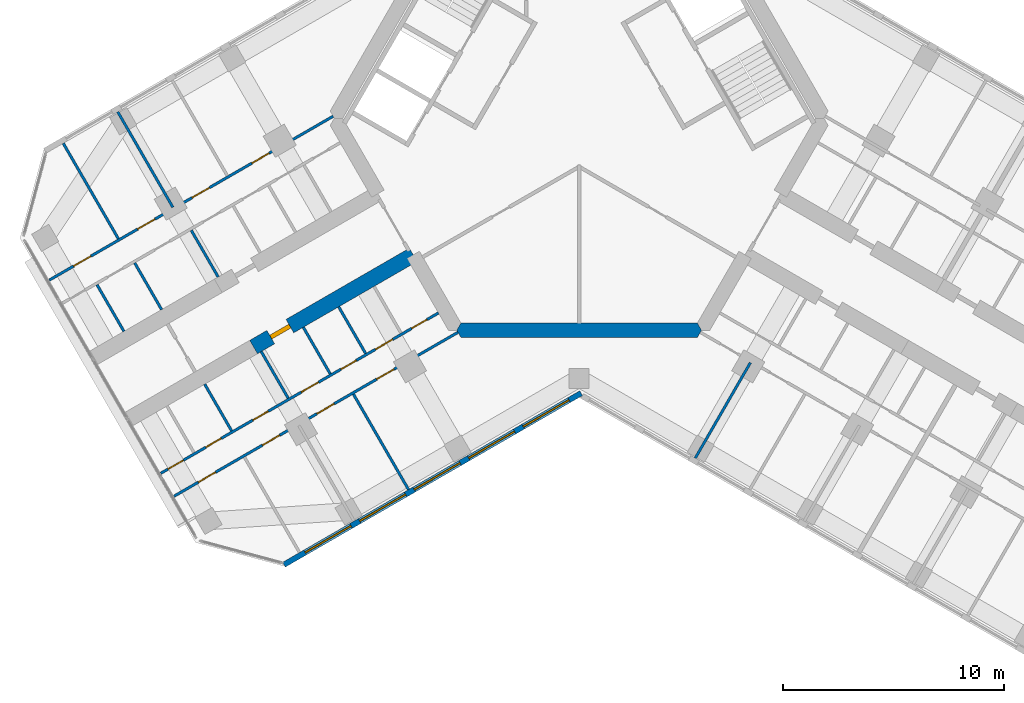
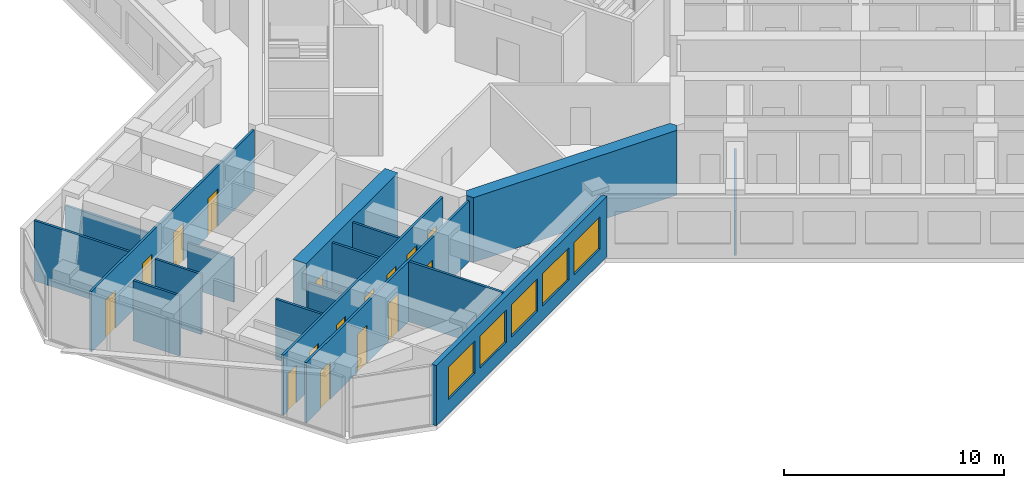
# One storey, part 8 of 16: 17 walls, 16 doors, 5 windows, 21 openings.
"""IFC4 building model written with IfcOpenShell, lengths in metres."""

from ifc_helpers import new_model, si_unit, direction, frame, frame_2d, origin, place, context, subcontext, project, spatial, polyline, rectangle, outline, extrude, material, layer, layer_set, type_object, element, fill, save


model = new_model("IFC4")

# Units and contexts
model_context = context("Model", 3, precision=1e-05, world=origin(), true_north=direction((0.0, 1.0)))
body_context = subcontext(model_context, "Body", "Model", "MODEL_VIEW")
ifc_project = project(units=[si_unit("LENGTHUNIT", "METRE"), si_unit("AREAUNIT", "SQUARE_METRE"), si_unit("VOLUMEUNIT", "CUBIC_METRE"), si_unit("PLANEANGLEUNIT", "RADIAN"), si_unit("MASSUNIT", "GRAM", prefix="KILO")], contexts=[model_context])

# Site, building, storey
site_placement = place(None, origin())
site = spatial("IfcSite", under=ifc_project, at=site_placement, CompositionType="ELEMENT")
building_placement = place(site_placement, origin())
building = spatial("IfcBuilding", under=site, at=building_placement, Name="Kosmar Iwan School Tower", CompositionType="ELEMENT")
storey_placement = place(building_placement, frame((0.0, 0.0, 208.199951171875)))
storey = spatial("IfcBuildingStorey", under=building, at=storey_placement, Name="L52", CompositionType="ELEMENT", Elevation=208.199951171875)

# Wall
ifc_material_1 = material(Name="Concrete C50/60", Category="concrete")
ifc_layer_1 = layer(ifc_material_1, 0.64990234375)
ifc_layer_set_1 = layer_set([ifc_layer_1], Name="Core wall 650")
wall_type_1 = type_object("IfcWallType", Name="Core wall 650", PredefinedType="SHEAR", material=ifc_layer_set_1)
wall_1_placement = place(storey_placement, origin())
element("IfcWall", 1, at=wall_1_placement, inside=storey, type_object=wall_type_1, Name="Core wall F270", PredefinedType="SHEAR", context=body_context, shape_type="SweptSolid", body=[
    extrude(outline(polyline([(-5.35498046875, -9.925048828125), (5.35498046875, -9.925048828125), (5.54248046875, -9.60009765625), (5.35498046875, -9.27490234375), (-5.35498046875, -9.27490234375), (-5.54248046875, -9.60009765625), (-5.35498046875, -9.925048828125)])), origin(), (0.0, 0.0, 1.0), 3.60009765625),
])

# Wall, opening, door
ifc_material_2 = material(Name="Concrete C50/60", Category="concrete")
ifc_layer_2 = layer(ifc_material_2, 0.699951171875)
ifc_layer_set_2 = layer_set([ifc_layer_2], Name="Corridor buttress wall 700")
wall_type_2 = type_object("IfcWallType", Name="Corridor buttress wall 700", PredefinedType="SHEAR", material=ifc_layer_set_2)
wall_2_placement = place(storey_placement, frame((-7.513916015625, -6.185546875, 0.0), z_axis=(0.0, 0.0, 1.0), x_axis=(-0.866019549707, -0.500010139422, 0.0)))
wall_2 = element("IfcWall", 2, at=wall_2_placement, inside=storey, type_object=wall_type_2, Name="Corridor wall BL", PredefinedType="SHEAR", context=body_context, shape_type="SweptSolid", body=[
    extrude(rectangle(XDim=8.349853515625, YDim=0.699951171875, at=frame_2d((4.1748046875, 0.0))), origin(), (0.0, 0.0, 1.0), 3.60009765625),
])
opening_1_placement = place(wall_2_placement, frame((6.449951171875, 0.0, 0.0)))
opening_1 = element("IfcOpeningElement", 3, at=opening_1_placement, cuts=wall_2, Name="Opening D1", PredefinedType="OPENING", context=body_context, shape_type="SweptSolid", body=[
    extrude(rectangle(XDim=1.0, YDim=2.10009765625, at=frame_2d((0.5, 1.050048828125))), frame((0.0, 0.362060546875, 0.0), z_axis=(0.0, -1.0, 0.0), x_axis=(1.0, 0.0, 0.0)), (0.0, 0.0, 1.0), 0.723876953125),
])
ifc_material_3 = material(Name="Timber fire door in steel frame", Category="steel")
door_type_1 = type_object("IfcDoorType", Name="Flat entrance door 1000x2100", OperationType="SINGLE_SWING_LEFT", PredefinedType="DOOR", material=ifc_material_3)
door_1_placement = place(opening_1_placement, origin())
door_1 = element("IfcDoor", 4, at=door_1_placement, inside=storey, type_object=door_type_1, Name="Flat L52-BL1 entrance door", OperationType="SINGLE_SWING_LEFT", OverallHeight=2.10009765625, OverallWidth=1.0, PredefinedType="DOOR", context=body_context, shape_type="SweptSolid", body=[
    extrude(rectangle(XDim=1.0, YDim=2.10009765625, at=frame_2d((0.5, 1.050048828125))), frame((0.0, 0.10009765625, 0.0), z_axis=(0.0, -1.0, 0.0), x_axis=(1.0, 0.0, 0.0)), (0.0, 0.0, 1.0), 0.199951171875),
])
fill(opening_1, door_1)

# Wall, openings, doors
ifc_material_4 = material(Name="Gypsum board on steel studs", Category="steel")
ifc_layer_3 = layer(ifc_material_4, 0.1201171875)
ifc_layer_set_3 = layer_set([ifc_layer_3], Name="Dwelling partition 120")
wall_type_3 = type_object("IfcWallType", Name="Dwelling partition 120", PredefinedType="PARTITIONING", material=ifc_layer_set_3)
wall_3_placement = place(storey_placement, frame((-6.370361328125, -8.81640625, 0.0), z_axis=(0.0, 0.0, 1.0), x_axis=(-0.866025425371, -0.499999962611, 0.0)))
wall_3 = element("IfcWall", 5, at=wall_3_placement, inside=storey, type_object=wall_type_3, Name="Partition L52-BL1-W1", PredefinedType="PARTITIONING", context=body_context, shape_type="SweptSolid", body=[
    extrude(rectangle(XDim=14.52001953125, YDim=0.1201171875, at=frame_2d((7.260009765625, 0.0))), origin(), (0.0, 0.0, 1.0), 3.35009765625),
])
opening_2_placement = place(wall_3_placement, frame((0.60009765625, 0.0, 0.0)))
opening_2 = element("IfcOpeningElement", 6, at=opening_2_placement, cuts=wall_3, Name="Opening D3", PredefinedType="OPENING", context=body_context, shape_type="SweptSolid", body=[
    extrude(rectangle(XDim=0.800048828125, YDim=2.10009765625, at=frame_2d((0.39990234375, 1.050048828125))), frame((0.0, 0.072021484375, 0.0), z_axis=(0.0, -1.0, 0.0), x_axis=(1.0, 0.0, 0.0)), (0.0, 0.0, 1.0), 0.14404296875),
])
opening_3_placement = place(wall_3_placement, frame((2.39990234375, 0.0, 0.0)))
opening_3 = element("IfcOpeningElement", 7, at=opening_3_placement, cuts=wall_3, Name="Opening D2", PredefinedType="OPENING", context=body_context, shape_type="SweptSolid", body=[
    extrude(rectangle(XDim=0.89990234375, YDim=2.10009765625, at=frame_2d((0.449951171875, 1.050048828125))), frame((0.0, 0.072021484375, 0.0), z_axis=(0.0, -1.0, 0.0), x_axis=(1.0, 0.0, 0.0)), (0.0, 0.0, 1.0), 0.14404296875),
])
opening_4_placement = place(wall_3_placement, frame((4.300048828125, 0.0, 0.0)))
opening_4 = element("IfcOpeningElement", 8, at=opening_4_placement, cuts=wall_3, Name="Opening D3", PredefinedType="OPENING", context=body_context, shape_type="SweptSolid", body=[
    extrude(rectangle(XDim=0.800048828125, YDim=2.10009765625, at=frame_2d((0.39990234375, 1.050048828125))), frame((0.0, 0.072021484375, 0.0), z_axis=(0.0, -1.0, 0.0), x_axis=(1.0, 0.0, 0.0)), (0.0, 0.0, 1.0), 0.14404296875),
])
opening_5_placement = place(wall_3_placement, frame((6.27490234375, 0.0, 0.0)))
opening_5 = element("IfcOpeningElement", 9, at=opening_5_placement, cuts=wall_3, Name="Opening D2", PredefinedType="OPENING", context=body_context, shape_type="SweptSolid", body=[
    extrude(rectangle(XDim=0.89990234375, YDim=2.10009765625, at=frame_2d((0.449951171875, 1.050048828125))), frame((0.0, 0.072021484375, 0.0), z_axis=(0.0, -1.0, 0.0), x_axis=(1.0, 0.0, 0.0)), (0.0, 0.0, 1.0), 0.14404296875),
])
opening_6_placement = place(wall_3_placement, frame((8.903564453125, 0.0, 0.0)))
opening_6 = element("IfcOpeningElement", 10, at=opening_6_placement, cuts=wall_3, Name="Opening D3", PredefinedType="OPENING", context=body_context, shape_type="SweptSolid", body=[
    extrude(rectangle(XDim=0.800048828125, YDim=2.10009765625, at=frame_2d((0.39990234375, 1.050048828125))), frame((0.0, 0.072021484375, 0.0), z_axis=(0.0, -1.0, 0.0), x_axis=(1.0, 0.0, 0.0)), (0.0, 0.0, 1.0), 0.14404296875),
])
opening_7_placement = place(wall_3_placement, frame((11.367919921875, 0.0, 0.0)))
opening_7 = element("IfcOpeningElement", 11, at=opening_7_placement, cuts=wall_3, Name="Opening D3", PredefinedType="OPENING", context=body_context, shape_type="SweptSolid", body=[
    extrude(rectangle(XDim=0.800048828125, YDim=2.10009765625, at=frame_2d((0.39990234375, 1.050048828125))), frame((0.0, 0.072021484375, 0.0), z_axis=(0.0, -1.0, 0.0), x_axis=(1.0, 0.0, 0.0)), (0.0, 0.0, 1.0), 0.14404296875),
])
opening_8_placement = place(wall_3_placement, frame((13.33935546875, 0.0, 0.0)))
opening_8 = element("IfcOpeningElement", 12, at=opening_8_placement, cuts=wall_3, Name="Opening D3", PredefinedType="OPENING", context=body_context, shape_type="SweptSolid", body=[
    extrude(rectangle(XDim=0.800048828125, YDim=2.10009765625, at=frame_2d((0.39990234375, 1.050048828125))), frame((0.0, 0.072021484375, 0.0), z_axis=(0.0, -1.0, 0.0), x_axis=(1.0, 0.0, 0.0)), (0.0, 0.0, 1.0), 0.14404296875),
])
ifc_material_5 = material(Name="Timber door in timber frame", Category="wood")
door_type_2 = type_object("IfcDoorType", Name="Internal door 900x2100", OperationType="SINGLE_SWING_LEFT", PredefinedType="DOOR", material=ifc_material_5)
door_2_placement = place(opening_3_placement, origin())
door_2 = element("IfcDoor", 13, at=door_2_placement, inside=storey, type_object=door_type_2, Name="Pantry door L52-BL1-S2", OperationType="SINGLE_SWING_RIGHT", OverallHeight=2.10009765625, OverallWidth=0.89990234375, PredefinedType="DOOR", context=body_context, shape_type="SweptSolid", body=[
    extrude(rectangle(XDim=0.89990234375, YDim=2.10009765625, at=frame_2d((0.449951171875, 1.050048828125))), frame((0.0, 0.02490234375, 0.0), z_axis=(0.0, -1.0, 0.0), x_axis=(1.0, 0.0, 0.0)), (0.0, 0.0, 1.0), 0.050048828125),
])
fill(opening_3, door_2)
door_3_placement = place(opening_5_placement, origin())
door_3 = element("IfcDoor", 14, at=door_3_placement, inside=storey, type_object=door_type_2, Name="Entrance hall door L52-BL1-S4", OperationType="SINGLE_SWING_LEFT", OverallHeight=2.10009765625, OverallWidth=0.89990234375, PredefinedType="DOOR", context=body_context, shape_type="SweptSolid", body=[
    extrude(rectangle(XDim=0.89990234375, YDim=2.10009765625, at=frame_2d((0.449951171875, 1.050048828125))), frame((0.0, 0.02490234375, 0.0), z_axis=(0.0, -1.0, 0.0), x_axis=(1.0, 0.0, 0.0)), (0.0, 0.0, 1.0), 0.050048828125),
])
fill(opening_5, door_3)
ifc_material_6 = material(Name="Timber door in timber frame", Category="wood")
door_type_3 = type_object("IfcDoorType", Name="Sanitary room door 800x2100", OperationType="SINGLE_SWING_LEFT", PredefinedType="DOOR", material=ifc_material_6)
door_4_placement = place(opening_2_placement, origin())
door_4 = element("IfcDoor", 15, at=door_4_placement, inside=storey, type_object=door_type_3, Name="Store door L52-BL1-S1", OperationType="SINGLE_SWING_LEFT", OverallHeight=2.10009765625, OverallWidth=0.800048828125, PredefinedType="DOOR", context=body_context, shape_type="SweptSolid", body=[
    extrude(rectangle(XDim=0.800048828125, YDim=2.10009765625, at=frame_2d((0.39990234375, 1.050048828125))), frame((0.0, 0.02490234375, 0.0), z_axis=(0.0, -1.0, 0.0), x_axis=(1.0, 0.0, 0.0)), (0.0, 0.0, 1.0), 0.050048828125),
])
fill(opening_2, door_4)
door_5_placement = place(opening_4_placement, origin())
door_5 = element("IfcDoor", 16, at=door_5_placement, inside=storey, type_object=door_type_3, Name="Grandparents' shower room door L52-BL1-S3", OperationType="SINGLE_SWING_LEFT", OverallHeight=2.10009765625, OverallWidth=0.800048828125, PredefinedType="DOOR", context=body_context, shape_type="SweptSolid", body=[
    extrude(rectangle(XDim=0.800048828125, YDim=2.10009765625, at=frame_2d((0.39990234375, 1.050048828125))), frame((0.0, 0.02490234375, 0.0), z_axis=(0.0, -1.0, 0.0), x_axis=(1.0, 0.0, 0.0)), (0.0, 0.0, 1.0), 0.050048828125),
])
fill(opening_4, door_5)
door_6_placement = place(opening_6_placement, origin())
door_6 = element("IfcDoor", 17, at=door_6_placement, inside=storey, type_object=door_type_3, Name="Bathroom door L52-BL1-S5", OperationType="SINGLE_SWING_RIGHT", OverallHeight=2.10009765625, OverallWidth=0.800048828125, PredefinedType="DOOR", context=body_context, shape_type="SweptSolid", body=[
    extrude(rectangle(XDim=0.800048828125, YDim=2.10009765625, at=frame_2d((0.39990234375, 1.050048828125))), frame((0.0, 0.02490234375, 0.0), z_axis=(0.0, -1.0, 0.0), x_axis=(1.0, 0.0, 0.0)), (0.0, 0.0, 1.0), 0.050048828125),
])
fill(opening_6, door_6)
door_7_placement = place(opening_7_placement, origin())
door_7 = element("IfcDoor", 18, at=door_7_placement, inside=storey, type_object=door_type_3, Name="Shower room door L52-BL1-S6", OperationType="SINGLE_SWING_RIGHT", OverallHeight=2.10009765625, OverallWidth=0.800048828125, PredefinedType="DOOR", context=body_context, shape_type="SweptSolid", body=[
    extrude(rectangle(XDim=0.800048828125, YDim=2.10009765625, at=frame_2d((0.39990234375, 1.050048828125))), frame((0.0, 0.02490234375, 0.0), z_axis=(0.0, -1.0, 0.0), x_axis=(1.0, 0.0, 0.0)), (0.0, 0.0, 1.0), 0.050048828125),
])
fill(opening_7, door_7)
door_8_placement = place(opening_8_placement, origin())
door_8 = element("IfcDoor", 19, at=door_8_placement, inside=storey, type_object=door_type_3, Name="WC door L52-BL1-S7", OperationType="SINGLE_SWING_RIGHT", OverallHeight=2.10009765625, OverallWidth=0.800048828125, PredefinedType="DOOR", context=body_context, shape_type="SweptSolid", body=[
    extrude(rectangle(XDim=0.800048828125, YDim=2.10009765625, at=frame_2d((0.39990234375, 1.050048828125))), frame((0.0, 0.02490234375, 0.0), z_axis=(0.0, -1.0, 0.0), x_axis=(1.0, 0.0, 0.0)), (0.0, 0.0, 1.0), 0.050048828125),
])
fill(opening_8, door_8)

wall_4_placement = place(storey_placement, frame((-5.48876953125, -9.693115234375, 0.0), z_axis=(0.0, 0.0, 1.0), x_axis=(-0.866030301974, -0.499991515992, 0.0)))
wall_4 = element("IfcWall", 20, at=wall_4_placement, inside=storey, type_object=wall_type_3, Name="Partition L52-BL1-W2", PredefinedType="PARTITIONING", context=body_context, shape_type="SweptSolid", body=[
    extrude(rectangle(XDim=14.844970703125, YDim=0.1201171875, at=frame_2d((7.42236328125, 0.0))), origin(), (0.0, 0.0, 1.0), 3.35009765625),
])
opening_9_placement = place(wall_4_placement, frame((3.35009765625, 0.0, 0.0)))
opening_9 = element("IfcOpeningElement", 21, at=opening_9_placement, cuts=wall_4, Name="Opening D2", PredefinedType="OPENING", context=body_context, shape_type="SweptSolid", body=[
    extrude(rectangle(XDim=0.89990234375, YDim=2.10009765625, at=frame_2d((0.449951171875, 1.050048828125))), frame((0.0, 0.072021484375, 0.0), z_axis=(0.0, -1.0, 0.0), x_axis=(1.0, 0.0, 0.0)), (0.0, 0.0, 1.0), 0.14404296875),
])
opening_10_placement = place(wall_4_placement, frame((6.47509765625, 0.0, 0.0)))
opening_10 = element("IfcOpeningElement", 22, at=opening_10_placement, cuts=wall_4, Name="Opening D2", PredefinedType="OPENING", context=body_context, shape_type="SweptSolid", body=[
    extrude(rectangle(XDim=0.89990234375, YDim=2.10009765625, at=frame_2d((0.449951171875, 1.050048828125))), frame((0.0, 0.072021484375, 0.0), z_axis=(0.0, -1.0, 0.0), x_axis=(1.0, 0.0, 0.0)), (0.0, 0.0, 1.0), 0.14404296875),
])
opening_11_placement = place(wall_4_placement, frame((9.324951171875, 0.0, 0.0)))
opening_11 = element("IfcOpeningElement", 23, at=opening_11_placement, cuts=wall_4, Name="Opening D2", PredefinedType="OPENING", context=body_context, shape_type="SweptSolid", body=[
    extrude(rectangle(XDim=0.89990234375, YDim=2.10009765625, at=frame_2d((0.449951171875, 1.050048828125))), frame((0.0, 0.072021484375, 0.0), z_axis=(0.0, -1.0, 0.0), x_axis=(1.0, 0.0, 0.0)), (0.0, 0.0, 1.0), 0.14404296875),
])
opening_12_placement = place(wall_4_placement, frame((12.675048828125, 0.0, 0.0)))
opening_12 = element("IfcOpeningElement", 24, at=opening_12_placement, cuts=wall_4, Name="Opening D2", PredefinedType="OPENING", context=body_context, shape_type="SweptSolid", body=[
    extrude(rectangle(XDim=0.89990234375, YDim=2.10009765625, at=frame_2d((0.449951171875, 1.050048828125))), frame((0.0, 0.072021484375, 0.0), z_axis=(0.0, -1.0, 0.0), x_axis=(1.0, 0.0, 0.0)), (0.0, 0.0, 1.0), 0.14404296875),
])
door_9_placement = place(opening_9_placement, origin())
door_9 = element("IfcDoor", 25, at=door_9_placement, inside=storey, type_object=door_type_2, Name="Grandparents' suite door L52-BL1-F1", OperationType="SINGLE_SWING_RIGHT", OverallHeight=2.10009765625, OverallWidth=0.89990234375, PredefinedType="DOOR", context=body_context, shape_type="SweptSolid", body=[
    extrude(rectangle(XDim=0.89990234375, YDim=2.10009765625, at=frame_2d((0.449951171875, 1.050048828125))), frame((0.0, 0.02490234375, 0.0), z_axis=(0.0, -1.0, 0.0), x_axis=(1.0, 0.0, 0.0)), (0.0, 0.0, 1.0), 0.050048828125),
])
fill(opening_9, door_9)
door_10_placement = place(opening_10_placement, origin())
door_10 = element("IfcDoor", 26, at=door_10_placement, inside=storey, type_object=door_type_2, Name="Bedroom 1 door L52-BL1-F2", OperationType="SINGLE_SWING_RIGHT", OverallHeight=2.10009765625, OverallWidth=0.89990234375, PredefinedType="DOOR", context=body_context, shape_type="SweptSolid", body=[
    extrude(rectangle(XDim=0.89990234375, YDim=2.10009765625, at=frame_2d((0.449951171875, 1.050048828125))), frame((0.0, 0.02490234375, 0.0), z_axis=(0.0, -1.0, 0.0), x_axis=(1.0, 0.0, 0.0)), (0.0, 0.0, 1.0), 0.050048828125),
])
fill(opening_10, door_10)
door_11_placement = place(opening_11_placement, origin())
door_11 = element("IfcDoor", 27, at=door_11_placement, inside=storey, type_object=door_type_2, Name="Family room and kitchen door L52-BL1-F3", OperationType="SINGLE_SWING_LEFT", OverallHeight=2.10009765625, OverallWidth=0.89990234375, PredefinedType="DOOR", context=body_context, shape_type="SweptSolid", body=[
    extrude(rectangle(XDim=0.89990234375, YDim=2.10009765625, at=frame_2d((0.449951171875, 1.050048828125))), frame((0.0, 0.02490234375, 0.0), z_axis=(0.0, -1.0, 0.0), x_axis=(1.0, 0.0, 0.0)), (0.0, 0.0, 1.0), 0.050048828125),
])
fill(opening_11, door_11)
door_12_placement = place(opening_12_placement, origin())
door_12 = element("IfcDoor", 28, at=door_12_placement, inside=storey, type_object=door_type_2, Name="Study door L52-BL1-F4", OperationType="SINGLE_SWING_RIGHT", OverallHeight=2.10009765625, OverallWidth=0.89990234375, PredefinedType="DOOR", context=body_context, shape_type="SweptSolid", body=[
    extrude(rectangle(XDim=0.89990234375, YDim=2.10009765625, at=frame_2d((0.449951171875, 1.050048828125))), frame((0.0, 0.02490234375, 0.0), z_axis=(0.0, -1.0, 0.0), x_axis=(1.0, 0.0, 0.0)), (0.0, 0.0, 1.0), 0.050048828125),
])
fill(opening_12, door_12)

# Walls
wall_5_placement = place(storey_placement, frame((-10.221923828125, -12.4951171875, 0.0), z_axis=(0.0, 0.0, 1.0), x_axis=(0.499996339024, -0.86602751744, 0.0)))
element("IfcWall", 29, at=wall_5_placement, inside=storey, type_object=wall_type_3, Name="Partition L52-BL1-X1", PredefinedType="PARTITIONING", context=body_context, shape_type="SweptSolid", body=[
    extrude(rectangle(XDim=4.98974609375, YDim=0.1201171875, at=frame_2d((2.494873046875, 0.0))), origin(), (0.0, 0.0, 1.0), 3.35009765625),
])
wall_6_placement = place(storey_placement, frame((-10.8896484375, -8.538818359375, 0.0), z_axis=(0.0, 0.0, 1.0), x_axis=(0.500077547548, -0.865980627057, 0.0)))
element("IfcWall", 30, at=wall_6_placement, inside=storey, type_object=wall_type_3, Name="Partition L52-BL1-Y2", PredefinedType="PARTITIONING", context=body_context, shape_type="SweptSolid", body=[
    extrude(rectangle(XDim=2.43994140625, YDim=0.1201171875, at=frame_2d((1.219970703125, 0.0))), origin(), (0.0, 0.0, 1.0), 3.35009765625),
])
wall_7_placement = place(storey_placement, frame((-12.49169921875, -9.463623046875, 0.0), z_axis=(0.0, 0.0, 1.0), x_axis=(0.499959183527, -0.866048967903, 0.0)))
element("IfcWall", 31, at=wall_7_placement, inside=storey, type_object=wall_type_3, Name="Partition L52-BL1-Y3", PredefinedType="PARTITIONING", context=body_context, shape_type="SweptSolid", body=[
    extrude(rectangle(XDim=2.440185546875, YDim=0.1201171875, at=frame_2d((1.22021484375, 0.0))), origin(), (0.0, 0.0, 1.0), 3.35009765625),
])
wall_8_placement = place(storey_placement, frame((-14.39697265625, -10.563720703125, 0.0), z_axis=(0.0, 0.0, 1.0), x_axis=(0.500002508028, -0.866023955769, 0.0)))
element("IfcWall", 32, at=wall_8_placement, inside=storey, type_object=wall_type_3, Name="Partition L52-BL1-Y4", PredefinedType="PARTITIONING", context=body_context, shape_type="SweptSolid", body=[
    extrude(rectangle(XDim=2.43994140625, YDim=0.1201171875, at=frame_2d((1.219970703125, 0.0))), origin(), (0.0, 0.0, 1.0), 2.449951171875),
])
wall_9_placement = place(storey_placement, frame((-16.9580078125, -12.042236328125, 0.0), z_axis=(0.0, 0.0, 1.0), x_axis=(0.500034220881, -0.866005645448, 0.0)))
element("IfcWall", 33, at=wall_9_placement, inside=storey, type_object=wall_type_3, Name="Partition L52-BL1-Y5", PredefinedType="PARTITIONING", context=body_context, shape_type="SweptSolid", body=[
    extrude(rectangle(XDim=2.440185546875, YDim=0.1201171875, at=frame_2d((1.22021484375, 0.0))), origin(), (0.0, 0.0, 1.0), 3.35009765625),
])

# Wall, openings, doors
wall_10_placement = place(storey_placement, frame((-11.138916015625, 0.093017578125, 0.0), z_axis=(0.0, 0.0, 1.0), x_axis=(-0.866030301974, -0.499991515992, 0.0)))
wall_10 = element("IfcWall", 34, at=wall_10_placement, inside=storey, type_object=wall_type_3, Name="Partition L52-BR1-W2", PredefinedType="PARTITIONING", context=body_context, shape_type="SweptSolid", body=[
    extrude(rectangle(XDim=14.844970703125, YDim=0.1201171875, at=frame_2d((7.42236328125, 0.0))), origin(), (0.0, 0.0, 1.0), 3.35009765625),
])
opening_13_placement = place(wall_10_placement, frame((3.35009765625, 0.0, 0.0)))
opening_13 = element("IfcOpeningElement", 35, at=opening_13_placement, cuts=wall_10, Name="Opening D2", PredefinedType="OPENING", context=body_context, shape_type="SweptSolid", body=[
    extrude(rectangle(XDim=0.89990234375, YDim=2.10009765625, at=frame_2d((0.449951171875, 1.050048828125))), frame((0.0, 0.072021484375, 0.0), z_axis=(0.0, -1.0, 0.0), x_axis=(1.0, 0.0, 0.0)), (0.0, 0.0, 1.0), 0.14404296875),
])
opening_14_placement = place(wall_10_placement, frame((6.47509765625, 0.0, 0.0)))
opening_14 = element("IfcOpeningElement", 36, at=opening_14_placement, cuts=wall_10, Name="Opening D2", PredefinedType="OPENING", context=body_context, shape_type="SweptSolid", body=[
    extrude(rectangle(XDim=0.89990234375, YDim=2.10009765625, at=frame_2d((0.449951171875, 1.050048828125))), frame((0.0, 0.072021484375, 0.0), z_axis=(0.0, -1.0, 0.0), x_axis=(1.0, 0.0, 0.0)), (0.0, 0.0, 1.0), 0.14404296875),
])
opening_15_placement = place(wall_10_placement, frame((9.324951171875, 0.0, 0.0)))
opening_15 = element("IfcOpeningElement", 37, at=opening_15_placement, cuts=wall_10, Name="Opening D2", PredefinedType="OPENING", context=body_context, shape_type="SweptSolid", body=[
    extrude(rectangle(XDim=0.89990234375, YDim=2.10009765625, at=frame_2d((0.449951171875, 1.050048828125))), frame((0.0, 0.072021484375, 0.0), z_axis=(0.0, -1.0, 0.0), x_axis=(1.0, 0.0, 0.0)), (0.0, 0.0, 1.0), 0.14404296875),
])
opening_16_placement = place(wall_10_placement, frame((12.675048828125, 0.0, 0.0)))
opening_16 = element("IfcOpeningElement", 38, at=opening_16_placement, cuts=wall_10, Name="Opening D2", PredefinedType="OPENING", context=body_context, shape_type="SweptSolid", body=[
    extrude(rectangle(XDim=0.89990234375, YDim=2.10009765625, at=frame_2d((0.449951171875, 1.050048828125))), frame((0.0, 0.072021484375, 0.0), z_axis=(0.0, -1.0, 0.0), x_axis=(1.0, 0.0, 0.0)), (0.0, 0.0, 1.0), 0.14404296875),
])
door_13_placement = place(opening_13_placement, origin())
door_13 = element("IfcDoor", 39, at=door_13_placement, inside=storey, type_object=door_type_2, Name="Grandparents' suite door L52-BR1-F1", OperationType="SINGLE_SWING_LEFT", OverallHeight=2.10009765625, OverallWidth=0.89990234375, PredefinedType="DOOR", context=body_context, shape_type="SweptSolid", body=[
    extrude(rectangle(XDim=0.89990234375, YDim=2.10009765625, at=frame_2d((0.449951171875, 1.050048828125))), frame((0.0, 0.02490234375, 0.0), z_axis=(0.0, -1.0, 0.0), x_axis=(1.0, 0.0, 0.0)), (0.0, 0.0, 1.0), 0.050048828125),
])
fill(opening_13, door_13)
door_14_placement = place(opening_14_placement, origin())
door_14 = element("IfcDoor", 40, at=door_14_placement, inside=storey, type_object=door_type_2, Name="Bedroom 1 door L52-BR1-F2", OperationType="SINGLE_SWING_LEFT", OverallHeight=2.10009765625, OverallWidth=0.89990234375, PredefinedType="DOOR", context=body_context, shape_type="SweptSolid", body=[
    extrude(rectangle(XDim=0.89990234375, YDim=2.10009765625, at=frame_2d((0.449951171875, 1.050048828125))), frame((0.0, 0.02490234375, 0.0), z_axis=(0.0, -1.0, 0.0), x_axis=(1.0, 0.0, 0.0)), (0.0, 0.0, 1.0), 0.050048828125),
])
fill(opening_14, door_14)
door_15_placement = place(opening_15_placement, origin())
door_15 = element("IfcDoor", 41, at=door_15_placement, inside=storey, type_object=door_type_2, Name="Living room and kitchen door L52-BR1-F3", OperationType="SINGLE_SWING_RIGHT", OverallHeight=2.10009765625, OverallWidth=0.89990234375, PredefinedType="DOOR", context=body_context, shape_type="SweptSolid", body=[
    extrude(rectangle(XDim=0.89990234375, YDim=2.10009765625, at=frame_2d((0.449951171875, 1.050048828125))), frame((0.0, 0.02490234375, 0.0), z_axis=(0.0, -1.0, 0.0), x_axis=(1.0, 0.0, 0.0)), (0.0, 0.0, 1.0), 0.050048828125),
])
fill(opening_15, door_15)
door_16_placement = place(opening_16_placement, origin())
door_16 = element("IfcDoor", 42, at=door_16_placement, inside=storey, type_object=door_type_2, Name="Study door L52-BR1-F4", OperationType="SINGLE_SWING_RIGHT", OverallHeight=2.10009765625, OverallWidth=0.89990234375, PredefinedType="DOOR", context=body_context, shape_type="SweptSolid", body=[
    extrude(rectangle(XDim=0.89990234375, YDim=2.10009765625, at=frame_2d((0.449951171875, 1.050048828125))), frame((0.0, 0.02490234375, 0.0), z_axis=(0.0, -1.0, 0.0), x_axis=(1.0, 0.0, 0.0)), (0.0, 0.0, 1.0), 0.050048828125),
])
fill(opening_16, door_16)

# Walls
wall_11_placement = place(storey_placement, frame((-18.400146484375, -4.030029296875, 0.0), z_axis=(0.0, 0.0, 1.0), x_axis=(-0.500011847778, 0.866018563358, 0.0)))
element("IfcWall", 43, at=wall_11_placement, inside=storey, type_object=wall_type_3, Name="Partition L52-BR1-X2", PredefinedType="PARTITIONING", context=body_context, shape_type="SweptSolid", body=[
    extrude(rectangle(XDim=4.990234375, YDim=0.1201171875, at=frame_2d((2.4951171875, 0.0))), origin(), (0.0, 0.0, 1.0), 2.449951171875),
])
wall_12_placement = place(storey_placement, frame((-20.868408203125, -5.455078125, 0.0), z_axis=(0.0, 0.0, 1.0), x_axis=(-0.499975153383, 0.86603974851, 0.0)))
element("IfcWall", 44, at=wall_12_placement, inside=storey, type_object=wall_type_3, Name="Partition L52-BR1-X3", PredefinedType="PARTITIONING", context=body_context, shape_type="SweptSolid", body=[
    extrude(rectangle(XDim=4.989990234375, YDim=0.1201171875, at=frame_2d((2.4951171875, 0.0))), origin(), (0.0, 0.0, 1.0), 3.35009765625),
])
wall_13_placement = place(storey_placement, frame((-16.346923828125, -7.186279296875, 0.0), z_axis=(0.0, 0.0, 1.0), x_axis=(-0.500002508028, 0.866023955769, 0.0)))
element("IfcWall", 45, at=wall_13_placement, inside=storey, type_object=wall_type_3, Name="Partition L52-BR1-Y4", PredefinedType="PARTITIONING", context=body_context, shape_type="SweptSolid", body=[
    extrude(rectangle(XDim=2.43994140625, YDim=0.1201171875, at=frame_2d((1.219970703125, 0.0))), origin(), (0.0, 0.0, 1.0), 2.449951171875),
])
wall_14_placement = place(storey_placement, frame((-18.907958984375, -8.664794921875, 0.0), z_axis=(0.0, 0.0, 1.0), x_axis=(-0.500002508028, 0.866023955769, 0.0)))
element("IfcWall", 46, at=wall_14_placement, inside=storey, type_object=wall_type_3, Name="Partition L52-BR1-Y5", PredefinedType="PARTITIONING", context=body_context, shape_type="SweptSolid", body=[
    extrude(rectangle(XDim=2.43994140625, YDim=0.1201171875, at=frame_2d((1.219970703125, 0.0))), origin(), (0.0, 0.0, 1.0), 3.35009765625),
])
wall_15_placement = place(storey_placement, frame((-20.615234375, -9.650634765625, 0.0), z_axis=(0.0, 0.0, 1.0), x_axis=(-0.499959183527, 0.866048967903, 0.0)))
element("IfcWall", 47, at=wall_15_placement, inside=storey, type_object=wall_type_3, Name="Partition L52-BR1-Y6", PredefinedType="PARTITIONING", context=body_context, shape_type="SweptSolid", body=[
    extrude(rectangle(XDim=2.440185546875, YDim=0.1201171875, at=frame_2d((1.22021484375, 0.0))), origin(), (0.0, 0.0, 1.0), 3.35009765625),
])
wall_16_placement = place(storey_placement, frame((7.75390625, -11.070068359375, 0.0), z_axis=(0.0, 0.0, 1.0), x_axis=(-0.500011847778, -0.866018563358, 0.0)))
element("IfcWall", 48, at=wall_16_placement, inside=storey, type_object=wall_type_3, Name="Partition L52-CR1-X1", PredefinedType="PARTITIONING", context=body_context, shape_type="SweptSolid", body=[
    extrude(rectangle(XDim=4.990234375, YDim=0.1201171875, at=frame_2d((2.4951171875, 0.0))), origin(), (0.0, 0.0, 1.0), 2.449951171875),
])

# Wall, openings, windows
ifc_material_7 = material(Name="Black aluminium rainscreen on insulated framing", Category="aluminium")
ifc_layer_4 = layer(ifc_material_7, 0.25)
ifc_layer_set_4 = layer_set([ifc_layer_4], Name="External wall rainscreen 250")
wall_type_4 = type_object("IfcWallType", Name="External wall rainscreen 250", PredefinedType="SOLIDWALL", material=ifc_layer_set_4)
wall_17_placement = place(storey_placement, frame((0.088134765625, -12.44873046875, 0.0), z_axis=(0.0, 0.0, 1.0), x_axis=(-0.866029894971, -0.499992220956, 0.0)))
wall_17 = element("IfcWall", 49, at=wall_17_placement, inside=storey, type_object=wall_type_4, Name="External wall BL L52", PredefinedType="SOLIDWALL", context=body_context, shape_type="SweptSolid", body=[
    extrude(rectangle(XDim=15.537353515625, YDim=0.25, at=frame_2d((7.7685546875, 0.0))), origin(), (0.0, 0.0, 1.0), 3.35009765625),
])
opening_17_placement = place(wall_17_placement, frame((0.626953125, 0.0, 0.800048828125)))
opening_17 = element("IfcOpeningElement", 50, at=opening_17_placement, cuts=wall_17, Name="Opening W5", PredefinedType="OPENING", context=body_context, shape_type="SweptSolid", body=[
    extrude(rectangle(XDim=2.39990234375, YDim=1.800048828125, at=frame_2d((1.199951171875, 0.89990234375))), frame((0.0, 0.136962890625, 0.0), z_axis=(0.0, -1.0, 0.0), x_axis=(1.0, 0.0, 0.0)), (0.0, 0.0, 1.0), 0.27392578125),
])
opening_18_placement = place(wall_17_placement, frame((3.47705078125, 0.0, 0.800048828125)))
opening_18 = element("IfcOpeningElement", 51, at=opening_18_placement, cuts=wall_17, Name="Opening W5", PredefinedType="OPENING", context=body_context, shape_type="SweptSolid", body=[
    extrude(rectangle(XDim=2.39990234375, YDim=1.800048828125, at=frame_2d((1.199951171875, 0.89990234375))), frame((0.0, 0.136962890625, 0.0), z_axis=(0.0, -1.0, 0.0), x_axis=(1.0, 0.0, 0.0)), (0.0, 0.0, 1.0), 0.27392578125),
])
opening_19_placement = place(wall_17_placement, frame((6.326904296875, 0.0, 0.800048828125)))
opening_19 = element("IfcOpeningElement", 52, at=opening_19_placement, cuts=wall_17, Name="Opening W5", PredefinedType="OPENING", context=body_context, shape_type="SweptSolid", body=[
    extrude(rectangle(XDim=2.39990234375, YDim=1.800048828125, at=frame_2d((1.199951171875, 0.89990234375))), frame((0.0, 0.136962890625, 0.0), z_axis=(0.0, -1.0, 0.0), x_axis=(1.0, 0.0, 0.0)), (0.0, 0.0, 1.0), 0.27392578125),
])
opening_20_placement = place(wall_17_placement, frame((9.177001953125, 0.0, 0.800048828125)))
opening_20 = element("IfcOpeningElement", 53, at=opening_20_placement, cuts=wall_17, Name="Opening W5", PredefinedType="OPENING", context=body_context, shape_type="SweptSolid", body=[
    extrude(rectangle(XDim=2.39990234375, YDim=1.800048828125, at=frame_2d((1.199951171875, 0.89990234375))), frame((0.0, 0.136962890625, 0.0), z_axis=(0.0, -1.0, 0.0), x_axis=(1.0, 0.0, 0.0)), (0.0, 0.0, 1.0), 0.27392578125),
])
opening_21_placement = place(wall_17_placement, frame((12.027099609375, 0.0, 0.800048828125)))
opening_21 = element("IfcOpeningElement", 54, at=opening_21_placement, cuts=wall_17, Name="Opening W5", PredefinedType="OPENING", context=body_context, shape_type="SweptSolid", body=[
    extrude(rectangle(XDim=2.39990234375, YDim=1.800048828125, at=frame_2d((1.199951171875, 0.89990234375))), frame((0.0, 0.136962890625, 0.0), z_axis=(0.0, -1.0, 0.0), x_axis=(1.0, 0.0, 0.0)), (0.0, 0.0, 1.0), 0.27392578125),
])
ifc_material_8 = material(Name="Black aluminium frame with dark triple glazing", Category="aluminium")
window_type = type_object("IfcWindowType", Name="Window 2400x1800", PartitioningType="SINGLE_PANEL", PredefinedType="WINDOW", material=ifc_material_8)
window_1_placement = place(opening_17_placement, origin())
window_1 = element("IfcWindow", 55, at=window_1_placement, inside=storey, type_object=window_type, Name="Window BL L52 -1", OverallHeight=1.800048828125, OverallWidth=2.39990234375, PartitioningType="SINGLE_PANEL", PredefinedType="WINDOW", context=body_context, shape_type="SweptSolid", body=[
    extrude(rectangle(XDim=2.39990234375, YDim=1.800048828125, at=frame_2d((1.199951171875, 0.89990234375))), frame((0.0, 0.030029296875, 0.0), z_axis=(0.0, -1.0, 0.0), x_axis=(1.0, 0.0, 0.0)), (0.0, 0.0, 1.0), 0.06005859375),
])
fill(opening_17, window_1)
window_2_placement = place(opening_18_placement, origin())
window_2 = element("IfcWindow", 56, at=window_2_placement, inside=storey, type_object=window_type, Name="Window BL L52 0", OverallHeight=1.800048828125, OverallWidth=2.39990234375, PartitioningType="SINGLE_PANEL", PredefinedType="WINDOW", context=body_context, shape_type="SweptSolid", body=[
    extrude(rectangle(XDim=2.39990234375, YDim=1.800048828125, at=frame_2d((1.199951171875, 0.89990234375))), frame((0.0, 0.030029296875, 0.0), z_axis=(0.0, -1.0, 0.0), x_axis=(1.0, 0.0, 0.0)), (0.0, 0.0, 1.0), 0.06005859375),
])
fill(opening_18, window_2)
window_3_placement = place(opening_19_placement, origin())
window_3 = element("IfcWindow", 57, at=window_3_placement, inside=storey, type_object=window_type, Name="Window BL L52 1", OverallHeight=1.800048828125, OverallWidth=2.39990234375, PartitioningType="SINGLE_PANEL", PredefinedType="WINDOW", context=body_context, shape_type="SweptSolid", body=[
    extrude(rectangle(XDim=2.39990234375, YDim=1.800048828125, at=frame_2d((1.199951171875, 0.89990234375))), frame((0.0, 0.030029296875, 0.0), z_axis=(0.0, -1.0, 0.0), x_axis=(1.0, 0.0, 0.0)), (0.0, 0.0, 1.0), 0.06005859375),
])
fill(opening_19, window_3)
window_4_placement = place(opening_20_placement, origin())
window_4 = element("IfcWindow", 58, at=window_4_placement, inside=storey, type_object=window_type, Name="Window BL L52 2", OverallHeight=1.800048828125, OverallWidth=2.39990234375, PartitioningType="SINGLE_PANEL", PredefinedType="WINDOW", context=body_context, shape_type="SweptSolid", body=[
    extrude(rectangle(XDim=2.39990234375, YDim=1.800048828125, at=frame_2d((1.199951171875, 0.89990234375))), frame((0.0, 0.030029296875, 0.0), z_axis=(0.0, -1.0, 0.0), x_axis=(1.0, 0.0, 0.0)), (0.0, 0.0, 1.0), 0.06005859375),
])
fill(opening_20, window_4)
window_5_placement = place(opening_21_placement, origin())
window_5 = element("IfcWindow", 59, at=window_5_placement, inside=storey, type_object=window_type, Name="Window BL L52 3", OverallHeight=1.800048828125, OverallWidth=2.39990234375, PartitioningType="SINGLE_PANEL", PredefinedType="WINDOW", context=body_context, shape_type="SweptSolid", body=[
    extrude(rectangle(XDim=2.39990234375, YDim=1.800048828125, at=frame_2d((1.199951171875, 0.89990234375))), frame((0.0, 0.030029296875, 0.0), z_axis=(0.0, -1.0, 0.0), x_axis=(1.0, 0.0, 0.0)), (0.0, 0.0, 1.0), 0.06005859375),
])
fill(opening_21, window_5)

save(model, "model.ifc")
